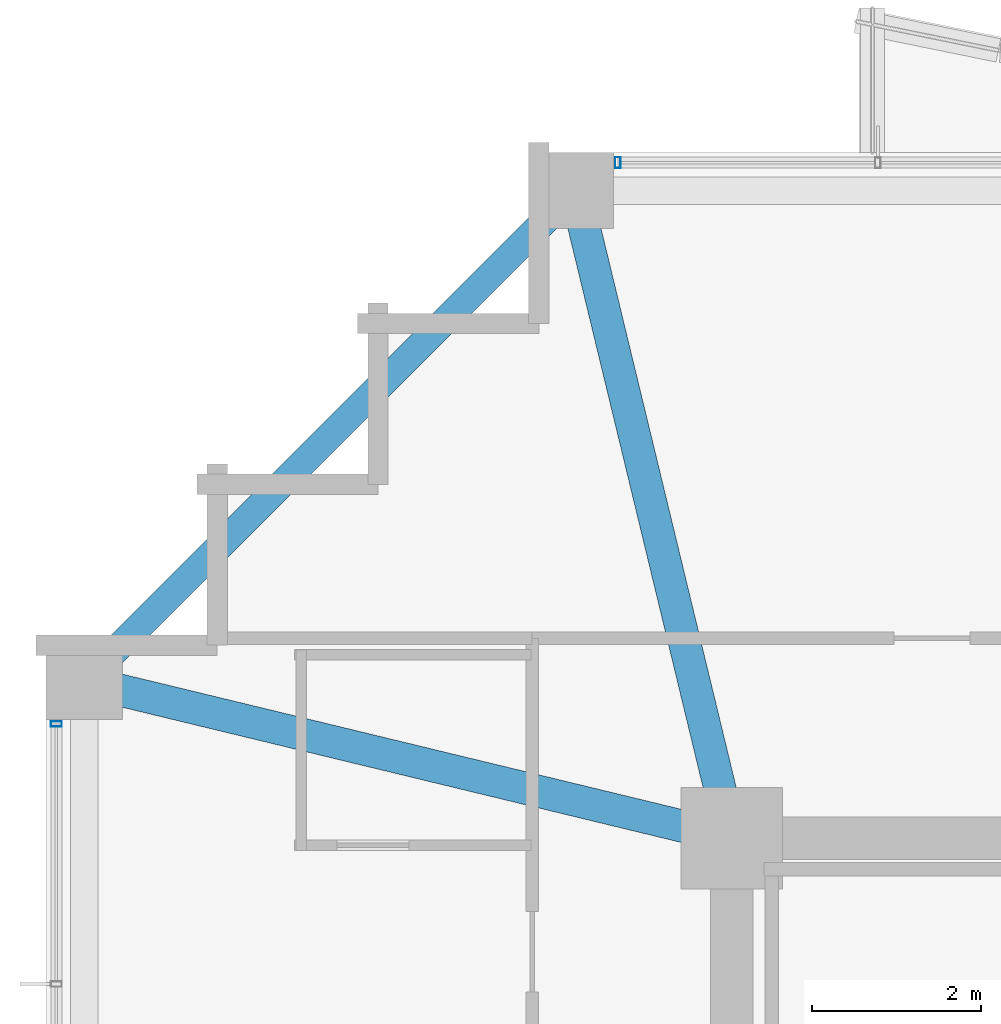
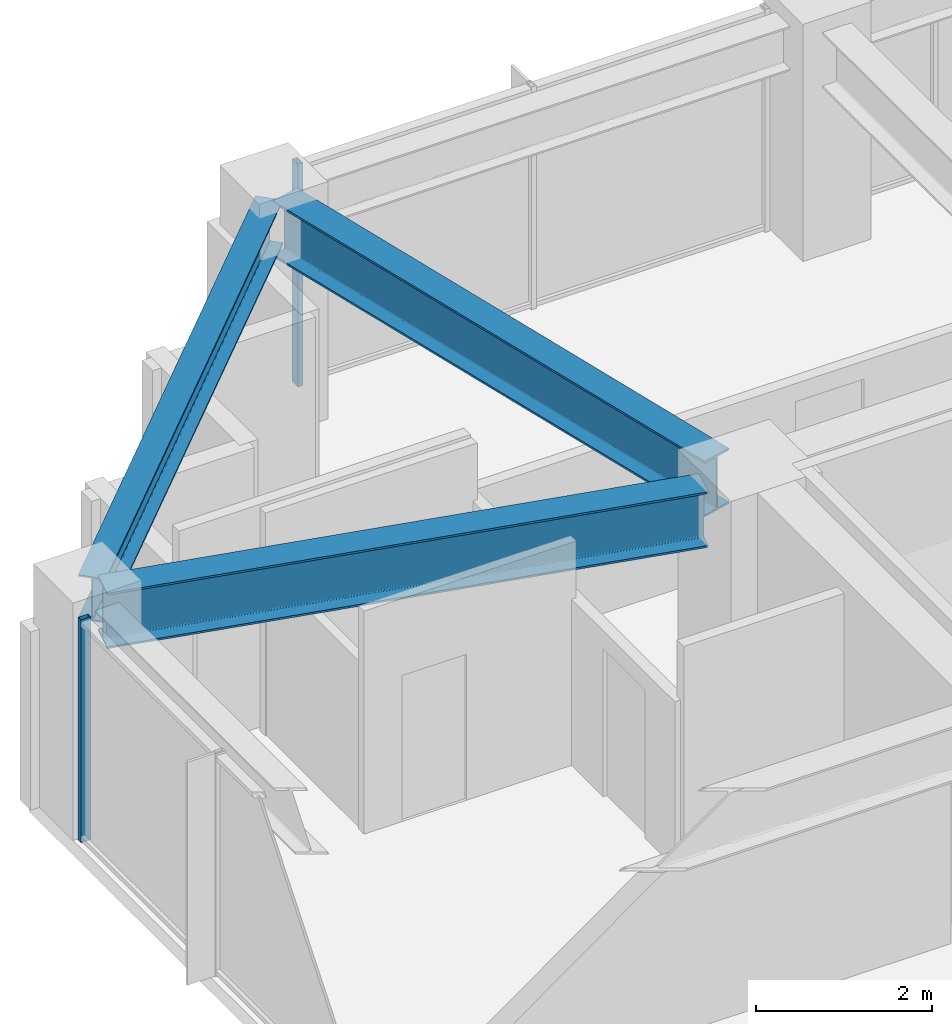
# One storey, part 16 of 31: 3 beams, 2 members, 2 elements without a shape of their own.
"""IFC4 building model written with IfcOpenShell, lengths in metres."""

import ifcopenshell
import ifcopenshell.guid

model = None  # the IFC model being written
_history = None  # IfcOwnerHistory: only IFC2X3 demands one
_inside = {}  # id of a spatial element -> (the spatial element, [elements in it])
_under = {}  # id of a project, library or spatial element -> (it, [spatial elements below it])
_declared = {}  # id of a project -> (the project, [libraries it declares])
_typed = {}  # id of a type object -> (the type object, [elements of that type])
_made_of = {}  # id of a material, layer set ... -> (it, [elements and type objects made of it])


def new_model(schema):
    """Start an empty IFC model of exactly this schema.

    Asked for "IFC4X3", IfcOpenShell would pick the latest addendum, in which some entities
    have other attributes; the version numbers below select the first issue.
    IFC2X3 requires an IfcOwnerHistory on every rooted entity: one is made here for all.
    """
    global model, _history
    if schema == "IFC4X3":
        model = ifcopenshell.file(schema_version=(4, 3, 0, 0))
    else:
        model = ifcopenshell.file(schema=schema)
    _inside.clear()
    _under.clear()
    _declared.clear()
    _typed.clear()
    _made_of.clear()
    _history = None
    if model.schema == "IFC2X3":
        org = make("IfcOrganization", Name="unknown")
        user = make(
            "IfcPersonAndOrganization",
            ThePerson=make("IfcPerson", FamilyName="unknown"),
            TheOrganization=org,
        )
        app = make(
            "IfcApplication",
            ApplicationDeveloper=org,
            Version="unknown",
            ApplicationFullName="unknown",
            ApplicationIdentifier="unknown",
        )
        _history = make(
            "IfcOwnerHistory",
            OwningUser=user,
            OwningApplication=app,
            ChangeAction="ADDED",
            CreationDate=0,
        )
    return model


def make(cls, **values):
    """One entity of the class cls with the attributes given. An attribute that is None is left unset."""
    return model.create_entity(
        cls, **{name: value for name, value in values.items() if value is not None}
    )


def rooted(cls, **values):
    """An entity with a GlobalId (a new one), such as an element, a storey or a relation."""
    return make(cls, GlobalId=ifcopenshell.guid.new(), OwnerHistory=_history, **values)


def si_unit(unit_type, name, prefix=None):
    """IfcSIUnit, for example si_unit("LENGTHUNIT", "METRE", prefix="MILLI")."""
    return make("IfcSIUnit", UnitType=unit_type, Prefix=prefix, Name=name)


def assignment(units):
    """IfcUnitAssignment: the units of a project."""
    return None if units is None else make("IfcUnitAssignment", Units=units)


def point(xyz):
    """IfcCartesianPoint."""
    return None if xyz is None else make("IfcCartesianPoint", Coordinates=xyz)


def direction(xyz):
    """IfcDirection."""
    return None if xyz is None else make("IfcDirection", DirectionRatios=xyz)


def frame(location, z_axis=None, x_axis=None):
    """IfcAxis2Placement3D, a coordinate frame: its origin and axes. An axis left out is left unset."""
    return make(
        "IfcAxis2Placement3D",
        Location=point(location),
        Axis=direction(z_axis),
        RefDirection=direction(x_axis),
    )


def frame_2d(location, x_axis=None):
    """IfcAxis2Placement2D, a coordinate frame in the plane: its origin and x axis."""
    return make(
        "IfcAxis2Placement2D", Location=point(location), RefDirection=direction(x_axis)
    )


def origin():
    """The frame at (0, 0, 0) with its axes left unset."""
    return frame((0.0, 0.0, 0.0))


def origin_2d():
    """The frame at (0, 0) in the plane with its x axis left unset."""
    return frame_2d((0.0, 0.0))


def place(relative_to, where):
    """IfcLocalPlacement: puts the frame where relative to a parent placement (None: the world)."""
    return make(
        "IfcLocalPlacement", PlacementRelTo=relative_to, RelativePlacement=where
    )


def context(
    kind, dimensions, precision=None, world=None, true_north=None, identifier=None
):
    """IfcGeometricRepresentationContext, for example the 3D "Model" context."""
    return make(
        "IfcGeometricRepresentationContext",
        ContextIdentifier=identifier,
        ContextType=kind,
        CoordinateSpaceDimension=dimensions,
        Precision=precision,
        WorldCoordinateSystem=world,
        TrueNorth=true_north,
    )


def subcontext(parent, identifier, kind, view, scale=None):
    """IfcGeometricRepresentationSubContext, for example "Body" below "Model"."""
    return make(
        "IfcGeometricRepresentationSubContext",
        ContextIdentifier=identifier,
        ContextType=kind,
        ParentContext=parent,
        TargetScale=scale,
        TargetView=view,
    )


def project(units=None, contexts=None):
    """IfcProject with its units and contexts."""
    return rooted(
        "IfcProject",
        Name="project",
        RepresentationContexts=contexts,
        UnitsInContext=assignment(units),
    )


def spatial(cls, under=None, at=None, **own):
    """A site, building, storey or space (cls), placed at a placement, below another one or the project."""
    s = rooted(cls, ObjectPlacement=at, **own)
    if under is not None:
        _under.setdefault(under.id(), (under, []))[1].append(s)
    return s


def profile(cls, at=None, kind="AREA", **sizes):
    """A parametric profile (cls). Its sizes go by their IFC names, for example OverallWidth=200.0."""
    return make(cls, ProfileType=kind, Position=at, **sizes)


def hollow_rectangle(**sizes):
    """IfcRectangleHollowProfileDef."""
    return profile("IfcRectangleHollowProfileDef", **sizes)


def i_section(**sizes):
    """IfcIShapeProfileDef."""
    return profile("IfcIShapeProfileDef", **sizes)


def extrude(swept, where, along, depth):
    """IfcExtrudedAreaSolid: the profile swept, set in the frame where, extruded along a direction by depth."""
    return make(
        "IfcExtrudedAreaSolid",
        SweptArea=swept,
        Position=where,
        ExtrudedDirection=direction(along),
        Depth=depth,
    )


def shape(context_of_items, identifier, shape_type, items):
    """IfcShapeRepresentation: the items that make up one representation, for example the "Body"."""
    return make(
        "IfcShapeRepresentation",
        ContextOfItems=context_of_items,
        RepresentationIdentifier=identifier,
        RepresentationType=shape_type,
        Items=items,
    )


def material(Name=None, Category=None):
    """IfcMaterial."""
    return make("IfcMaterial", Name=Name, Category=Category)


def material_profile(
    of_material, cross_section, Name=None, Category=None, Priority=None
):
    """IfcMaterialProfile: a cross section and its material."""
    return make(
        "IfcMaterialProfile",
        Name=Name,
        Material=of_material,
        Profile=cross_section,
        Priority=Priority,
        Category=Category,
    )


def profile_set(profiles, Name=None, composite=None):
    """IfcMaterialProfileSet."""
    return make(
        "IfcMaterialProfileSet",
        Name=Name,
        MaterialProfiles=profiles,
        CompositeProfile=composite,
    )


def made_of(thing, what):
    """Note that an element or type object is made of a material, layer set ...; save() writes the relation."""
    if what is not None:
        _made_of.setdefault(what.id(), (what, []))[1].append(thing)
    return thing


def type_object(cls, material=None, **own):
    """A type object (cls), such as IfcWallType, which elements share."""
    return made_of(rooted(cls, **own), material)


def element(
    cls,
    number,
    at=None,
    inside=None,
    cuts=None,
    type_object=None,
    material=None,
    context=None,
    identifier="Body",
    shape_type=None,
    held_by="IfcProductDefinitionShape",
    body=None,
    shapes=None,
    **own,
):
    """One element of the class cls, such as IfcWall. Its Tag is "e" and its number.

    at: its placement. inside: the storey or other place that contains it. cuts: it is an
    opening in that element (IfcRelVoidsElement). A single representation is given by context,
    identifier, shape_type and body (its items); several are given by shapes. held_by: the class
    of the entity that holds the representations. save() writes the other relations.
    """
    e = rooted(cls, Tag="e%d" % number, ObjectPlacement=at, **own)
    if body is not None:
        shapes = [shape(context, identifier, shape_type, body)]
    if shapes is not None:
        e.Representation = make(held_by, Representations=shapes)
    if inside is not None:
        _inside.setdefault(inside.id(), (inside, []))[1].append(e)
    if cuts is not None:
        rooted(
            "IfcRelVoidsElement", RelatingBuildingElement=cuts, RelatedOpeningElement=e
        )
    if type_object is not None:
        _typed.setdefault(type_object.id(), (type_object, []))[1].append(e)
    return made_of(e, material)


def aggregate(whole, parts):
    """IfcRelAggregates: a whole, such as a stair, and the parts it consists of."""
    return rooted("IfcRelAggregates", RelatingObject=whole, RelatedObjects=parts)


def save(model, path):
    """Write the relations noted so far, then the file.

    IfcRelAggregates (storeys below a building ...), IfcRelContainedInSpatialStructure (elements
    in a storey), IfcRelDefinesByType, IfcRelAssociatesMaterial and IfcRelDeclares: one each for
    every whole, place, type object, material and project.
    """
    for whole, parts in _under.values():
        aggregate(whole, parts)
    for where, things in _inside.values():
        rooted(
            "IfcRelContainedInSpatialStructure",
            RelatedElements=things,
            RelatingStructure=where,
        )
    for kind, things in _typed.values():
        rooted("IfcRelDefinesByType", RelatedObjects=things, RelatingType=kind)
    for what, things in _made_of.values():
        rooted("IfcRelAssociatesMaterial", RelatedObjects=things, RelatingMaterial=what)
    for by, libraries in _declared.values():
        rooted("IfcRelDeclares", RelatingContext=by, RelatedDefinitions=libraries)
    model.write(path)


model = new_model("IFC4")

# Units and contexts
model_context = context("Model", 3, precision=1e-05, world=origin(), true_north=direction((0.0, 1.0)))
body_context = subcontext(model_context, "Body", "Model", "MODEL_VIEW")
ifc_project = project(units=[si_unit("LENGTHUNIT", "METRE"), si_unit("AREAUNIT", "SQUARE_METRE"), si_unit("VOLUMEUNIT", "CUBIC_METRE"), si_unit("PLANEANGLEUNIT", "RADIAN"), si_unit("MASSUNIT", "GRAM", prefix="KILO")], contexts=[model_context])

# Site, building, storey
site_placement = place(None, origin())
site = spatial("IfcSite", under=ifc_project, at=site_placement, CompositionType="ELEMENT")
building_placement = place(site_placement, origin())
building = spatial("IfcBuilding", under=site, at=building_placement, Name="Kolvaren Belvedere", CompositionType="ELEMENT")
storey_placement = place(building_placement, frame((0.0, 0.0, 134.89990234375)))
storey = spatial("IfcBuildingStorey", under=building, at=storey_placement, Name="L39", CompositionType="ELEMENT", Elevation=134.89990234375)

# Beams
ifc_material_1 = material(Name="Structural steel ASTM A992 Grade 50", Category="steel")
ifc_material_profile_1 = material_profile(ifc_material_1, i_section(OverallWidth=0.381103515625, OverallDepth=0.77294921875, WebThickness=0.0166015625, FlangeThickness=0.027099609375, FilletRadius=0.02392578125, at=origin_2d()), Name="W30X173")
ifc_profile_set_1 = profile_set([ifc_material_profile_1], Name="Structural steel ASTM A992 Grade 50")
beam_type_1 = type_object("IfcBeamType", Name="BM-GIRD-W30X173", PredefinedType="BEAM", material=ifc_profile_set_1)
for number, where, z_axis, x_axis, name in (
    (1, (-10.029296875, 10.4345703125, 2.713623046875), (-0.235062749937, 0.971980197119, 0.0), (-0.971980197119, -0.235062749937, 0.0), "L39 Corner Core-to-Perimeter Girder CC4-N1"),
    (2, (-10.4345703125, 10.029296875, 2.713623046875), (-0.971980197119, 0.235062749937, 0.0), (-0.235062749937, -0.971980197119, 0.0), "L39 Corner Core-to-Perimeter Girder CC4-W4"),
):
    element("IfcBeam", number, at=place(storey_placement, frame(where, z_axis=z_axis, x_axis=x_axis)), inside=storey, type_object=beam_type_1, Name=name, PredefinedType="BEAM", context=body_context, shape_type="SweptSolid", body=[
        extrude(i_section(OverallWidth=0.381103515625, OverallDepth=0.77294921875, WebThickness=0.0166015625, FlangeThickness=0.027099609375, FilletRadius=0.02392578125, at=origin_2d()), origin(), (0.0, 0.0, 1.0), 7.140625),
    ])
ifc_material_2 = material(Name="Structural steel ASTM A992 Grade 50", Category="steel")
ifc_material_profile_2 = material_profile(ifc_material_2, i_section(OverallWidth=0.324951171875, OverallDepth=0.615966796875, WebThickness=0.013916015625, FlangeThickness=0.021484375, FilletRadius=0.02001953125, at=origin_2d()), Name="W24X117")
ifc_profile_set_2 = profile_set([ifc_material_profile_2], Name="Structural steel ASTM A992 Grade 50")
beam_type_2 = type_object("IfcBeamType", Name="BM-SPAN-W24X117", PredefinedType="SPANDREL", material=ifc_profile_set_2)
beam_placement = place(storey_placement, frame((-11.893310546875, 17.40673828125, 2.7919921875), z_axis=(-0.707106781187, -0.707106781187, 0.0), x_axis=(0.707106781187, -0.707106781187, 0.0)))
element("IfcBeam", 3, at=beam_placement, inside=storey, type_object=beam_type_2, Name="L39 Perimeter Spandrel N1-W4", PredefinedType="SPANDREL", context=body_context, shape_type="SweptSolid", body=[
    extrude(i_section(OverallWidth=0.324951171875, OverallDepth=0.615966796875, WebThickness=0.013916015625, FlangeThickness=0.021484375, FilletRadius=0.02001953125, at=origin_2d()), origin(), (0.0, 0.0, 1.0), 7.797119140625),
])

# Curtain wall, member
ifc_material_3 = material(Name="Anodised pale-metal aluminium AA 6063-T6", Category="aluminium")
curtain_wall_type = type_object("IfcCurtainWallType", Name="CW-Z3-WAIST", PredefinedType="NOTDEFINED", material=ifc_material_3)
curtain_wall_1_placement = place(storey_placement, origin())
curtain_wall_1 = element("IfcCurtainWall", 4, at=curtain_wall_1_placement, inside=storey, type_object=curtain_wall_type, Name="L39 Unitised Curtain Wall FCW-L39-N1-B1", PredefinedType="NOTDEFINED")
ifc_material_4 = material(Name="Anodised pale-metal aluminium AA 6063-T6", Category="aluminium")
ifc_material_profile_3 = material_profile(ifc_material_4, hollow_rectangle(XDim=0.06494140625, YDim=0.1298828125, WallThickness=0.00390625, at=origin_2d()), Name="ALU-MUL-130X65")
ifc_profile_set_3 = profile_set([ifc_material_profile_3], Name="Anodised pale-metal aluminium AA 6063-T6")
member_type = type_object("IfcMemberType", Name="CW-MUL-130", PredefinedType="MULLION", material=ifc_profile_set_3)
member_1_placement = place(storey_placement, frame((-11.24755859375, 17.8798828125, 0.0), z_axis=(0.0, 0.0, 1.0), x_axis=(1.0, 0.0, 0.0)))
member_1 = element("IfcMember", 5, at=member_1_placement, type_object=member_type, Name="FCW-L39-N1-B1 Unitised Mullion 1", PredefinedType="MULLION", context=body_context, shape_type="SweptSolid", body=[
    extrude(hollow_rectangle(XDim=0.06494140625, YDim=0.1298828125, WallThickness=0.00390625, at=origin_2d()), origin(), (0.0, 0.0, 1.0), 3.10009765625),
])
aggregate(curtain_wall_1, [member_1])

curtain_wall_2_placement = place(storey_placement, origin())
curtain_wall_2 = element("IfcCurtainWall", 6, at=curtain_wall_2_placement, inside=storey, type_object=curtain_wall_type, Name="L39 Unitised Curtain Wall FCW-L39-W-B3", PredefinedType="NOTDEFINED")
member_2_placement = place(storey_placement, frame((-17.8798828125, 11.24755859375, 0.0), z_axis=(0.0, 0.0, 1.0), x_axis=(0.0, 1.0, 0.0)))
member_2 = element("IfcMember", 7, at=member_2_placement, type_object=member_type, Name="FCW-L39-W-B3 Unitised Mullion 3", PredefinedType="MULLION", context=body_context, shape_type="SweptSolid", body=[
    extrude(hollow_rectangle(XDim=0.06494140625, YDim=0.1298828125, WallThickness=0.00390625, at=origin_2d()), origin(), (0.0, 0.0, 1.0), 3.10009765625),
])
aggregate(curtain_wall_2, [member_2])

save(model, "model.ifc")
